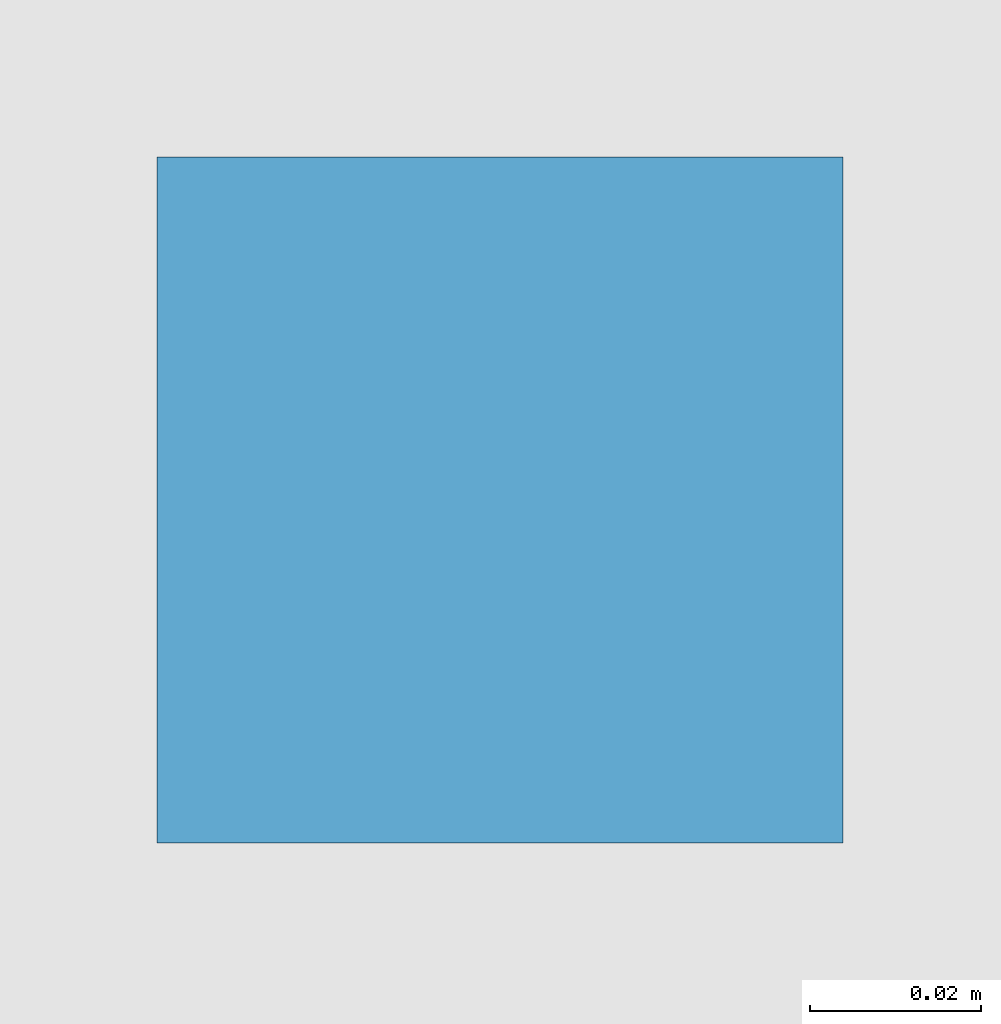
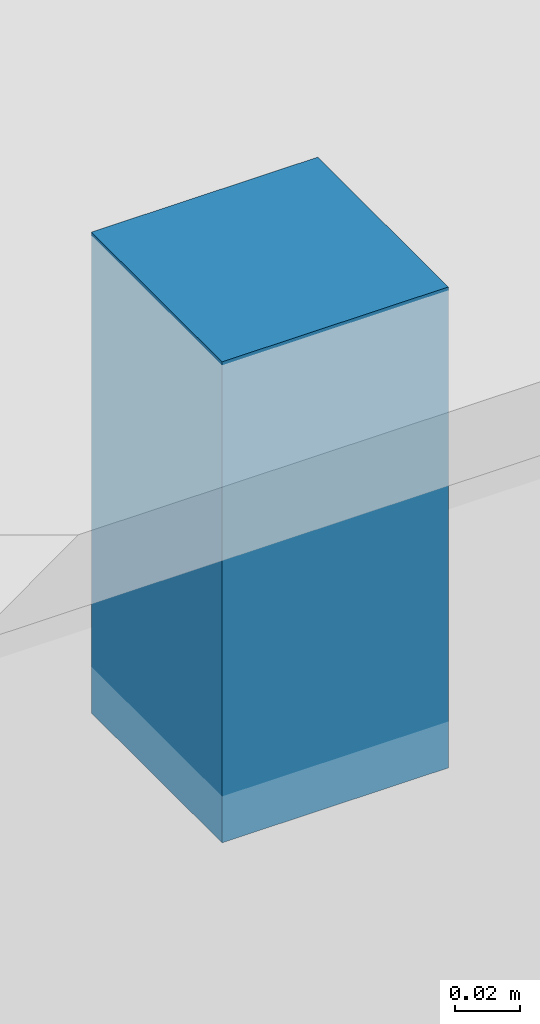
# One storey, part 10 of 15: 1 discrete accessory.
"""IFC4 building model written with IfcOpenShell, lengths in metres."""

from ifc_helpers import new_model, si_unit, direction, frame, origin, origin_2d, place, context, subcontext, project, spatial, rectangle, extrude, material, type_object, element, save


model = new_model("IFC4")

# Units and contexts
model_context = context("Model", 3, precision=1e-05, world=origin(), true_north=direction((0.0, 1.0)))
body_context = subcontext(model_context, "Body", "Model", "MODEL_VIEW")
ifc_project = project(units=[si_unit("LENGTHUNIT", "METRE"), si_unit("AREAUNIT", "SQUARE_METRE"), si_unit("VOLUMEUNIT", "CUBIC_METRE"), si_unit("PLANEANGLEUNIT", "RADIAN"), si_unit("MASSUNIT", "GRAM", prefix="KILO")], contexts=[model_context])

# Site, building, storey
site_placement = place(None, origin())
site = spatial("IfcSite", under=ifc_project, at=site_placement, CompositionType="ELEMENT")
building_placement = place(site_placement, origin())
building = spatial("IfcBuilding", under=site, at=building_placement, Name="Kolvaren Gate Tower and Convention Centre", CompositionType="ELEMENT")
storey_placement = place(building_placement, frame((0.0, 0.0, 72.699951171875)))
storey = spatial("IfcBuildingStorey", under=building, at=storey_placement, Name="L17", CompositionType="ELEMENT", Elevation=72.699951171875)

# Discrete accessory
ifc_material = material(Name="Brushed Stainless Steel Grade 316L", Category="steel")
discrete_accessory_type = type_object("IfcDiscreteAccessoryType", Name="ARCH-ACC-HANGER-80", PredefinedType="BRACKET", material=ifc_material)
discrete_accessory_placement = place(storey_placement, frame((49.47412109375, 26.93408203125, 3.39013671875), z_axis=(0.0, 0.0, 1.0), x_axis=(1.0, 0.0, 0.0)))
element("IfcDiscreteAccessory", 1, at=discrete_accessory_placement, inside=storey, type_object=discrete_accessory_type, Name="Legal Chambers Cellular Office Ceiling Suspension Hanger Clip 1", PredefinedType="BRACKET", context=body_context, shape_type="SweptSolid", body=[
    extrude(rectangle(XDim=0.080078125, YDim=0.080078125, at=origin_2d()), origin(), (0.0, 0.0, 1.0), 0.179931640625),
])

save(model, "model.ifc")
